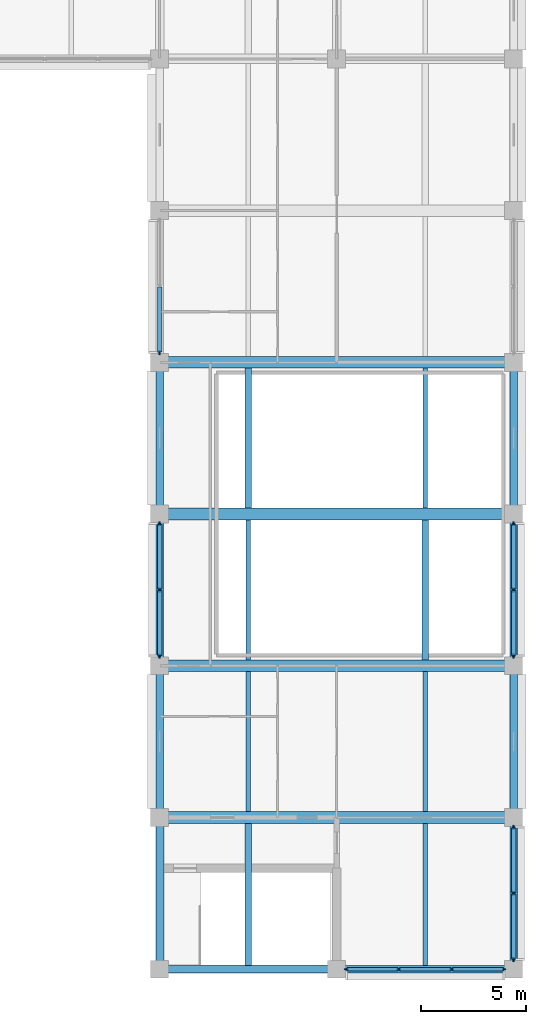
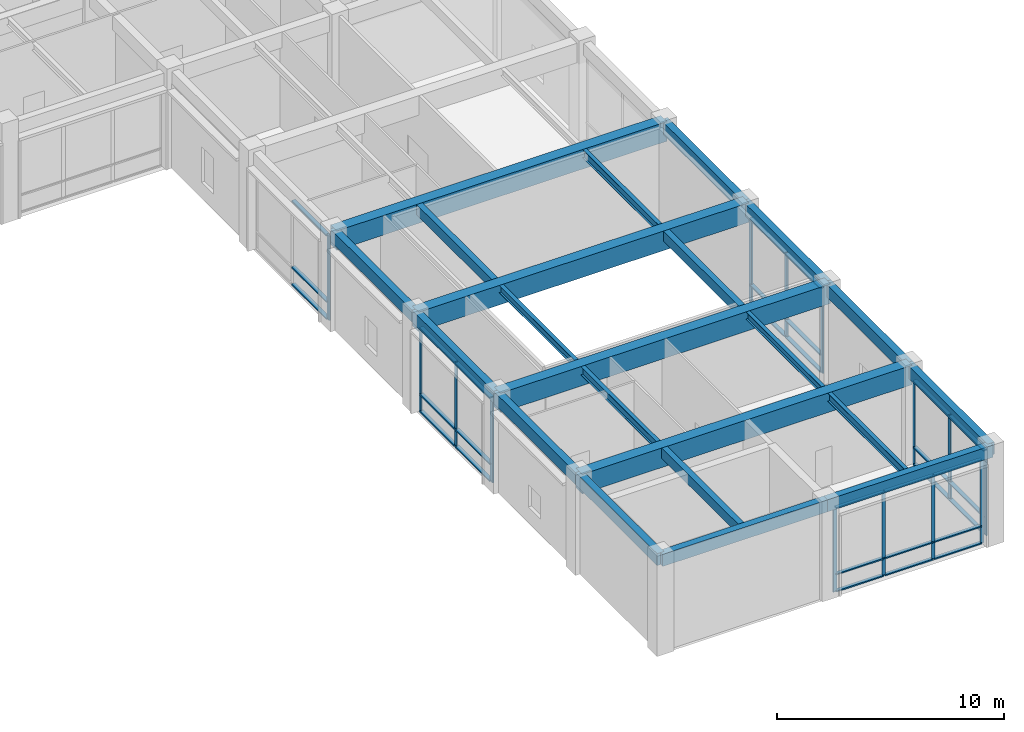
# One storey, part 18 of 58: 44 members, 22 beams, 5 elements without a shape of their own.
"""IFC4 building model written with IfcOpenShell, lengths in metres."""

import ifcopenshell
import ifcopenshell.guid

model = None  # the IFC model being written
_history = None  # IfcOwnerHistory: only IFC2X3 demands one
_inside = {}  # id of a spatial element -> (the spatial element, [elements in it])
_under = {}  # id of a project, library or spatial element -> (it, [spatial elements below it])
_declared = {}  # id of a project -> (the project, [libraries it declares])
_typed = {}  # id of a type object -> (the type object, [elements of that type])
_made_of = {}  # id of a material, layer set ... -> (it, [elements and type objects made of it])


def new_model(schema):
    """Start an empty IFC model of exactly this schema.

    Asked for "IFC4X3", IfcOpenShell would pick the latest addendum, in which some entities
    have other attributes; the version numbers below select the first issue.
    IFC2X3 requires an IfcOwnerHistory on every rooted entity: one is made here for all.
    """
    global model, _history
    if schema == "IFC4X3":
        model = ifcopenshell.file(schema_version=(4, 3, 0, 0))
    else:
        model = ifcopenshell.file(schema=schema)
    _inside.clear()
    _under.clear()
    _declared.clear()
    _typed.clear()
    _made_of.clear()
    _history = None
    if model.schema == "IFC2X3":
        org = make("IfcOrganization", Name="unknown")
        user = make(
            "IfcPersonAndOrganization",
            ThePerson=make("IfcPerson", FamilyName="unknown"),
            TheOrganization=org,
        )
        app = make(
            "IfcApplication",
            ApplicationDeveloper=org,
            Version="unknown",
            ApplicationFullName="unknown",
            ApplicationIdentifier="unknown",
        )
        _history = make(
            "IfcOwnerHistory",
            OwningUser=user,
            OwningApplication=app,
            ChangeAction="ADDED",
            CreationDate=0,
        )
    return model


def make(cls, **values):
    """One entity of the class cls with the attributes given. An attribute that is None is left unset."""
    return model.create_entity(
        cls, **{name: value for name, value in values.items() if value is not None}
    )


def rooted(cls, **values):
    """An entity with a GlobalId (a new one), such as an element, a storey or a relation."""
    return make(cls, GlobalId=ifcopenshell.guid.new(), OwnerHistory=_history, **values)


def si_unit(unit_type, name, prefix=None):
    """IfcSIUnit, for example si_unit("LENGTHUNIT", "METRE", prefix="MILLI")."""
    return make("IfcSIUnit", UnitType=unit_type, Prefix=prefix, Name=name)


def assignment(units):
    """IfcUnitAssignment: the units of a project."""
    return None if units is None else make("IfcUnitAssignment", Units=units)


def point(xyz):
    """IfcCartesianPoint."""
    return None if xyz is None else make("IfcCartesianPoint", Coordinates=xyz)


def direction(xyz):
    """IfcDirection."""
    return None if xyz is None else make("IfcDirection", DirectionRatios=xyz)


def frame(location, z_axis=None, x_axis=None):
    """IfcAxis2Placement3D, a coordinate frame: its origin and axes. An axis left out is left unset."""
    return make(
        "IfcAxis2Placement3D",
        Location=point(location),
        Axis=direction(z_axis),
        RefDirection=direction(x_axis),
    )


def frame_2d(location, x_axis=None):
    """IfcAxis2Placement2D, a coordinate frame in the plane: its origin and x axis."""
    return make(
        "IfcAxis2Placement2D", Location=point(location), RefDirection=direction(x_axis)
    )


def origin():
    """The frame at (0, 0, 0) with its axes left unset."""
    return frame((0.0, 0.0, 0.0))


def origin_2d():
    """The frame at (0, 0) in the plane with its x axis left unset."""
    return frame_2d((0.0, 0.0))


def place(relative_to, where):
    """IfcLocalPlacement: puts the frame where relative to a parent placement (None: the world)."""
    return make(
        "IfcLocalPlacement", PlacementRelTo=relative_to, RelativePlacement=where
    )


def context(
    kind, dimensions, precision=None, world=None, true_north=None, identifier=None
):
    """IfcGeometricRepresentationContext, for example the 3D "Model" context."""
    return make(
        "IfcGeometricRepresentationContext",
        ContextIdentifier=identifier,
        ContextType=kind,
        CoordinateSpaceDimension=dimensions,
        Precision=precision,
        WorldCoordinateSystem=world,
        TrueNorth=true_north,
    )


def subcontext(parent, identifier, kind, view, scale=None):
    """IfcGeometricRepresentationSubContext, for example "Body" below "Model"."""
    return make(
        "IfcGeometricRepresentationSubContext",
        ContextIdentifier=identifier,
        ContextType=kind,
        ParentContext=parent,
        TargetScale=scale,
        TargetView=view,
    )


def project(units=None, contexts=None):
    """IfcProject with its units and contexts."""
    return rooted(
        "IfcProject",
        Name="project",
        RepresentationContexts=contexts,
        UnitsInContext=assignment(units),
    )


def spatial(cls, under=None, at=None, **own):
    """A site, building, storey or space (cls), placed at a placement, below another one or the project."""
    s = rooted(cls, ObjectPlacement=at, **own)
    if under is not None:
        _under.setdefault(under.id(), (under, []))[1].append(s)
    return s


def profile(cls, at=None, kind="AREA", **sizes):
    """A parametric profile (cls). Its sizes go by their IFC names, for example OverallWidth=200.0."""
    return make(cls, ProfileType=kind, Position=at, **sizes)


def rectangle(**sizes):
    """IfcRectangleProfileDef."""
    return profile("IfcRectangleProfileDef", **sizes)


def i_section(**sizes):
    """IfcIShapeProfileDef."""
    return profile("IfcIShapeProfileDef", **sizes)


def extrude(swept, where, along, depth):
    """IfcExtrudedAreaSolid: the profile swept, set in the frame where, extruded along a direction by depth."""
    return make(
        "IfcExtrudedAreaSolid",
        SweptArea=swept,
        Position=where,
        ExtrudedDirection=direction(along),
        Depth=depth,
    )


def shape(context_of_items, identifier, shape_type, items):
    """IfcShapeRepresentation: the items that make up one representation, for example the "Body"."""
    return make(
        "IfcShapeRepresentation",
        ContextOfItems=context_of_items,
        RepresentationIdentifier=identifier,
        RepresentationType=shape_type,
        Items=items,
    )


def material(Name=None, Category=None):
    """IfcMaterial."""
    return make("IfcMaterial", Name=Name, Category=Category)


def layer(
    of_material, thickness, ventilated=None, Name=None, Category=None, Priority=None
):
    """IfcMaterialLayer: one layer of a wall or slab, of a material (None: an air gap)."""
    return make(
        "IfcMaterialLayer",
        Material=of_material,
        LayerThickness=thickness,
        IsVentilated=ventilated,
        Name=Name,
        Category=Category,
        Priority=Priority,
    )


def layer_set(layers, Name=None):
    """IfcMaterialLayerSet."""
    return make("IfcMaterialLayerSet", MaterialLayers=layers, LayerSetName=Name)


def material_profile(
    of_material, cross_section, Name=None, Category=None, Priority=None
):
    """IfcMaterialProfile: a cross section and its material."""
    return make(
        "IfcMaterialProfile",
        Name=Name,
        Material=of_material,
        Profile=cross_section,
        Priority=Priority,
        Category=Category,
    )


def profile_set(profiles, Name=None, composite=None):
    """IfcMaterialProfileSet."""
    return make(
        "IfcMaterialProfileSet",
        Name=Name,
        MaterialProfiles=profiles,
        CompositeProfile=composite,
    )


def made_of(thing, what):
    """Note that an element or type object is made of a material, layer set ...; save() writes the relation."""
    if what is not None:
        _made_of.setdefault(what.id(), (what, []))[1].append(thing)
    return thing


def type_object(cls, material=None, **own):
    """A type object (cls), such as IfcWallType, which elements share."""
    return made_of(rooted(cls, **own), material)


def element(
    cls,
    number,
    at=None,
    inside=None,
    cuts=None,
    type_object=None,
    material=None,
    context=None,
    identifier="Body",
    shape_type=None,
    held_by="IfcProductDefinitionShape",
    body=None,
    shapes=None,
    **own,
):
    """One element of the class cls, such as IfcWall. Its Tag is "e" and its number.

    at: its placement. inside: the storey or other place that contains it. cuts: it is an
    opening in that element (IfcRelVoidsElement). A single representation is given by context,
    identifier, shape_type and body (its items); several are given by shapes. held_by: the class
    of the entity that holds the representations. save() writes the other relations.
    """
    e = rooted(cls, Tag="e%d" % number, ObjectPlacement=at, **own)
    if body is not None:
        shapes = [shape(context, identifier, shape_type, body)]
    if shapes is not None:
        e.Representation = make(held_by, Representations=shapes)
    if inside is not None:
        _inside.setdefault(inside.id(), (inside, []))[1].append(e)
    if cuts is not None:
        rooted(
            "IfcRelVoidsElement", RelatingBuildingElement=cuts, RelatedOpeningElement=e
        )
    if type_object is not None:
        _typed.setdefault(type_object.id(), (type_object, []))[1].append(e)
    return made_of(e, material)


def aggregate(whole, parts):
    """IfcRelAggregates: a whole, such as a stair, and the parts it consists of."""
    return rooted("IfcRelAggregates", RelatingObject=whole, RelatedObjects=parts)


def save(model, path):
    """Write the relations noted so far, then the file.

    IfcRelAggregates (storeys below a building ...), IfcRelContainedInSpatialStructure (elements
    in a storey), IfcRelDefinesByType, IfcRelAssociatesMaterial and IfcRelDeclares: one each for
    every whole, place, type object, material and project.
    """
    for whole, parts in _under.values():
        aggregate(whole, parts)
    for where, things in _inside.values():
        rooted(
            "IfcRelContainedInSpatialStructure",
            RelatedElements=things,
            RelatingStructure=where,
        )
    for kind, things in _typed.values():
        rooted("IfcRelDefinesByType", RelatedObjects=things, RelatingType=kind)
    for what, things in _made_of.values():
        rooted("IfcRelAssociatesMaterial", RelatedObjects=things, RelatingMaterial=what)
    for by, libraries in _declared.values():
        rooted("IfcRelDeclares", RelatingContext=by, RelatedDefinitions=libraries)
    model.write(path)


model = new_model("IFC4")

# Units and contexts
model_context = context("Model", 3, precision=1e-05, world=origin(), true_north=direction((0.0, 1.0)))
body_context = subcontext(model_context, "Body", "Model", "MODEL_VIEW")
ifc_project = project(units=[si_unit("LENGTHUNIT", "METRE"), si_unit("AREAUNIT", "SQUARE_METRE"), si_unit("VOLUMEUNIT", "CUBIC_METRE"), si_unit("PLANEANGLEUNIT", "RADIAN"), si_unit("MASSUNIT", "GRAM", prefix="KILO")], contexts=[model_context])

# Site, building, storey
site_placement = place(None, origin())
site = spatial("IfcSite", under=ifc_project, at=site_placement, CompositionType="ELEMENT")
building_placement = place(site_placement, origin())
building = spatial("IfcBuilding", under=site, at=building_placement, Name="Chengyuan Square Courthouse", CompositionType="ELEMENT")
storey_placement = place(building_placement, frame((0.0, 0.0, 16.199951171875)))
storey = spatial("IfcBuildingStorey", under=building, at=storey_placement, Name="L04", CompositionType="ELEMENT", Elevation=16.199951171875)

# Beams
ifc_material_1 = material(Name="Concrete C40", Category="concrete")
ifc_material_profile_1 = material_profile(ifc_material_1, rectangle(XDim=0.35009765625, YDim=0.64990234375, at=origin_2d()), Name="RC-BM-350x650")
ifc_profile_set_1 = profile_set([ifc_material_profile_1], Name="Concrete C40")
beam_type_1 = type_object("IfcBeamType", Name="BM-03", PredefinedType="SPANDREL", material=ifc_profile_set_1)
beam_1_placement = place(storey_placement, frame((151.199951171875, 36.0, 4.875), z_axis=(1.0, 0.0, 0.0), x_axis=(0.0, 1.0, 0.0)))
element("IfcBeam", 1, at=beam_1_placement, inside=storey, type_object=beam_type_1, Name="Girder BM-L04-2845", PredefinedType="SPANDREL", context=body_context, shape_type="SweptSolid", body=[
    extrude(rectangle(XDim=0.35009765625, YDim=0.64990234375, at=origin_2d()), origin(), (0.0, 0.0, 1.0), 8.400146484375),
])
beam_2_placement = place(storey_placement, frame((159.60009765625, 36.0, 4.875), z_axis=(1.0, 0.0, 0.0), x_axis=(0.0, 1.0, 0.0)))
element("IfcBeam", 2, at=beam_2_placement, inside=storey, type_object=beam_type_1, Name="Girder BM-L04-2846", PredefinedType="SPANDREL", context=body_context, shape_type="SweptSolid", body=[
    extrude(rectangle(XDim=0.35009765625, YDim=0.64990234375, at=origin_2d()), origin(), (0.0, 0.0, 1.0), 8.39990234375),
])
for number, where, z_axis, x_axis, name in (
    (3, (151.199951171875, 36.0, 4.875), (0.0, 1.0, 0.0), (-1.0, 0.0, 0.0), "Girder BM-L04-3069"),
    (4, (151.199951171875, 43.199951171875, 4.875), (0.0, 1.0, 0.0), (-1.0, 0.0, 0.0), "Girder BM-L04-3070"),
):
    element("IfcBeam", number, at=place(storey_placement, frame(where, z_axis=z_axis, x_axis=x_axis)), inside=storey, type_object=beam_type_1, Name=name, PredefinedType="SPANDREL", context=body_context, shape_type="SweptSolid", body=[
        extrude(rectangle(XDim=0.35009765625, YDim=0.64990234375, at=origin_2d()), origin(), (0.0, 0.0, 1.0), 7.199951171875),
    ])
beam_3_placement = place(storey_placement, frame((151.199951171875, 50.39990234375, 4.875), z_axis=(0.0, 1.0, 0.0), x_axis=(-1.0, 0.0, 0.0)))
element("IfcBeam", 5, at=beam_3_placement, inside=storey, type_object=beam_type_1, Name="Girder BM-L04-3071", PredefinedType="SPANDREL", context=body_context, shape_type="SweptSolid", body=[
    extrude(rectangle(XDim=0.35009765625, YDim=0.64990234375, at=origin_2d()), origin(), (0.0, 0.0, 1.0), 7.2001953125),
])
for number, where, z_axis, x_axis, name in (
    (6, (151.199951171875, 57.60009765625, 4.875), (0.0, 1.0, 0.0), (-1.0, 0.0, 0.0), "Girder BM-L04-3072"),
    (7, (168.0, 36.0, 4.875), (0.0, 1.0, 0.0), (-1.0, 0.0, 0.0), "Girder BM-L04-3083"),
    (8, (168.0, 43.199951171875, 4.875), (0.0, 1.0, 0.0), (-1.0, 0.0, 0.0), "Girder BM-L04-3084"),
):
    element("IfcBeam", number, at=place(storey_placement, frame(where, z_axis=z_axis, x_axis=x_axis)), inside=storey, type_object=beam_type_1, Name=name, PredefinedType="SPANDREL", context=body_context, shape_type="SweptSolid", body=[
        extrude(rectangle(XDim=0.35009765625, YDim=0.64990234375, at=origin_2d()), origin(), (0.0, 0.0, 1.0), 7.199951171875),
    ])
beam_4_placement = place(storey_placement, frame((168.0, 50.39990234375, 4.875), z_axis=(0.0, 1.0, 0.0), x_axis=(-1.0, 0.0, 0.0)))
element("IfcBeam", 9, at=beam_4_placement, inside=storey, type_object=beam_type_1, Name="Girder BM-L04-3085", PredefinedType="SPANDREL", context=body_context, shape_type="SweptSolid", body=[
    extrude(rectangle(XDim=0.35009765625, YDim=0.64990234375, at=origin_2d()), origin(), (0.0, 0.0, 1.0), 7.2001953125),
])
beam_5_placement = place(storey_placement, frame((168.0, 57.60009765625, 4.875), z_axis=(0.0, 1.0, 0.0), x_axis=(-1.0, 0.0, 0.0)))
element("IfcBeam", 10, at=beam_5_placement, inside=storey, type_object=beam_type_1, Name="Girder BM-L04-3086", PredefinedType="SPANDREL", context=body_context, shape_type="SweptSolid", body=[
    extrude(rectangle(XDim=0.35009765625, YDim=0.64990234375, at=origin_2d()), origin(), (0.0, 0.0, 1.0), 7.199951171875),
])
ifc_material_profile_2 = material_profile(ifc_material_1, rectangle(XDim=0.300048828125, YDim=0.550048828125, at=origin_2d()), Name="RC-BM-300x550")
ifc_profile_set_2 = profile_set([ifc_material_profile_2], Name="Concrete C40")
beam_type_2 = type_object("IfcBeamType", Name="BM-04", PredefinedType="BEAM", material=ifc_profile_set_2)
beam_6_placement = place(storey_placement, frame((155.39990234375, 36.175048828125, 4.925048828125), z_axis=(0.0, 1.0, 0.0), x_axis=(-1.0, 0.0, 0.0)))
element("IfcBeam", 11, at=beam_6_placement, inside=storey, type_object=beam_type_2, Name="Secondary Floor Beam SBM-L04-3175", PredefinedType="BEAM", context=body_context, shape_type="SweptSolid", body=[
    extrude(rectangle(XDim=0.300048828125, YDim=0.550048828125, at=origin_2d()), origin(), (0.0, 0.0, 1.0), 6.75),
])
for number, where, z_axis, x_axis, name in (
    (12, (155.39990234375, 57.875, 4.925048828125), (0.0, 1.0, 0.0), (-1.0, 0.0, 0.0), "Secondary Floor Beam SBM-L04-3178"),
    (13, (163.800048828125, 50.675048828125, 4.925048828125), (0.0, 1.0, 0.0), (-1.0, 0.0, 0.0), "Secondary Floor Beam SBM-L04-3187"),
):
    element("IfcBeam", number, at=place(storey_placement, frame(where, z_axis=z_axis, x_axis=x_axis)), inside=storey, type_object=beam_type_2, Name=name, PredefinedType="BEAM", context=body_context, shape_type="SweptSolid", body=[
        extrude(rectangle(XDim=0.300048828125, YDim=0.550048828125, at=origin_2d()), origin(), (0.0, 0.0, 1.0), 6.64990234375),
    ])
ifc_material_2 = material(Name="Steel Q355B", Category="steel")
ifc_material_profile_3 = material_profile(ifc_material_2, i_section(OverallWidth=0.199951171875, OverallDepth=0.449951171875, WebThickness=0.009033203125, FlangeThickness=0.013916015625, at=origin_2d()), Name="HN 450x200x9x14")
ifc_profile_set_3 = profile_set([ifc_material_profile_3], Name="Steel Q355B")
beam_type_3 = type_object("IfcBeamType", Name="BM-06", PredefinedType="BEAM", material=ifc_profile_set_3)
beam_7_placement = place(storey_placement, frame((155.39990234375, 43.47509765625, 4.97509765625), z_axis=(0.0, 1.0, 0.0), x_axis=(-1.0, 0.0, 0.0)))
element("IfcBeam", 14, at=beam_7_placement, inside=storey, type_object=beam_type_3, Name="Secondary Floor Beam SBM-L04-3176", PredefinedType="BEAM", context=body_context, shape_type="SweptSolid", body=[
    extrude(i_section(OverallWidth=0.199951171875, OverallDepth=0.449951171875, WebThickness=0.009033203125, FlangeThickness=0.013916015625, at=origin_2d()), origin(), (0.0, 0.0, 1.0), 6.64990234375),
])
beam_8_placement = place(storey_placement, frame((163.800048828125, 36.175048828125, 4.97509765625), z_axis=(0.0, 1.0, 0.0), x_axis=(-1.0, 0.0, 0.0)))
element("IfcBeam", 15, at=beam_8_placement, inside=storey, type_object=beam_type_3, Name="Secondary Floor Beam SBM-L04-3185", PredefinedType="BEAM", context=body_context, shape_type="SweptSolid", body=[
    extrude(i_section(OverallWidth=0.199951171875, OverallDepth=0.449951171875, WebThickness=0.009033203125, FlangeThickness=0.013916015625, at=origin_2d()), origin(), (0.0, 0.0, 1.0), 6.75),
])
beam_9_placement = place(storey_placement, frame((163.800048828125, 57.875, 4.97509765625), z_axis=(0.0, 1.0, 0.0), x_axis=(-1.0, 0.0, 0.0)))
element("IfcBeam", 16, at=beam_9_placement, inside=storey, type_object=beam_type_3, Name="Secondary Floor Beam SBM-L04-3188", PredefinedType="BEAM", context=body_context, shape_type="SweptSolid", body=[
    extrude(i_section(OverallWidth=0.199951171875, OverallDepth=0.449951171875, WebThickness=0.009033203125, FlangeThickness=0.013916015625, at=origin_2d()), origin(), (0.0, 0.0, 1.0), 6.64990234375),
])
ifc_material_profile_4 = material_profile(ifc_material_2, i_section(OverallWidth=0.199951171875, OverallDepth=0.39990234375, WebThickness=0.008056640625, FlangeThickness=0.012939453125, at=origin_2d()), Name="HN 400x200x8x13")
ifc_profile_set_4 = profile_set([ifc_material_profile_4], Name="Steel Q355B")
beam_type_4 = type_object("IfcBeamType", Name="BM-07", PredefinedType="BEAM", material=ifc_profile_set_4)
for number, where, z_axis, x_axis, name in (
    (17, (155.39990234375, 50.675048828125, 5.0), (0.0, 1.0, 0.0), (-1.0, 0.0, 0.0), "Secondary Floor Beam SBM-L04-3177"),
    (18, (163.800048828125, 43.47509765625, 5.0), (0.0, 1.0, 0.0), (-1.0, 0.0, 0.0), "Secondary Floor Beam SBM-L04-3186"),
):
    element("IfcBeam", number, at=place(storey_placement, frame(where, z_axis=z_axis, x_axis=x_axis)), inside=storey, type_object=beam_type_4, Name=name, PredefinedType="BEAM", context=body_context, shape_type="SweptSolid", body=[
        extrude(i_section(OverallWidth=0.199951171875, OverallDepth=0.39990234375, WebThickness=0.008056640625, FlangeThickness=0.012939453125, at=origin_2d()), origin(), (0.0, 0.0, 1.0), 6.64990234375),
    ])

# Curtain wall, members
ifc_material_3 = material(Name="Unitised Aluminium and Triple Low-E Glass", Category="aluminium")
ifc_layer_1 = layer(ifc_material_3, 0.179931640625)
ifc_layer_set_1 = layer_set([ifc_layer_1], Name="Unitised Aluminium and Triple Low-E Glass")
curtain_wall_type_1 = type_object("IfcCurtainWallType", Name="CW-10", PredefinedType="USERDEFINED", material=ifc_layer_set_1)
curtain_wall_1_placement = place(storey_placement, origin())
curtain_wall_1 = element("IfcCurtainWall", 19, at=curtain_wall_1_placement, inside=storey, type_object=curtain_wall_type_1, Name="Unitised Curtain Wall CW-L04-158", ObjectType="UNITISED CURTAIN WALL", PredefinedType="USERDEFINED")
ifc_material_4 = material(Name="Aluminium 6063-T6 Frame", Category="aluminium")
ifc_material_profile_5 = material_profile(ifc_material_4, rectangle(XDim=0.06494140625, YDim=0.179931640625, at=origin_2d()), Name="CW-MUL-65x180")
ifc_profile_set_5 = profile_set([ifc_material_profile_5], Name="Aluminium 6063-T6 Frame")
member_type_1 = type_object("IfcMemberType", Name="CWM-02", PredefinedType="MULLION", material=ifc_profile_set_5)
member_1_placement = place(storey_placement, frame((160.0576171875, 36.0, 0.0), z_axis=(0.0, 0.0, 1.0), x_axis=(0.0, 1.0, 0.0)))
member_1 = element("IfcMember", 20, at=member_1_placement, type_object=member_type_1, Name="CW-10 mullion 1", PredefinedType="MULLION", context=body_context, shape_type="SweptSolid", body=[
    extrude(rectangle(XDim=0.06494140625, YDim=0.179931640625, at=origin_2d()), origin(), (0.0, 0.0, 1.0), 4.550048828125),
])
member_2_placement = place(storey_placement, frame((162.541748046875, 36.0, 0.0), z_axis=(0.0, 0.0, 1.0), x_axis=(0.0, 1.0, 0.0)))
member_2 = element("IfcMember", 21, at=member_2_placement, type_object=member_type_1, Name="CW-10 mullion 2", PredefinedType="MULLION", context=body_context, shape_type="SweptSolid", body=[
    extrude(rectangle(XDim=0.06494140625, YDim=0.179931640625, at=origin_2d()), origin(), (0.0, 0.0, 1.0), 4.550048828125),
])
member_3_placement = place(storey_placement, frame((165.058349609375, 36.0, 0.0), z_axis=(0.0, 0.0, 1.0), x_axis=(0.0, 1.0, 0.0)))
member_3 = element("IfcMember", 22, at=member_3_placement, type_object=member_type_1, Name="CW-10 mullion 3", PredefinedType="MULLION", context=body_context, shape_type="SweptSolid", body=[
    extrude(rectangle(XDim=0.06494140625, YDim=0.179931640625, at=origin_2d()), origin(), (0.0, 0.0, 1.0), 4.550048828125),
])
member_4_placement = place(storey_placement, frame((167.54248046875, 36.0, 0.0), z_axis=(0.0, 0.0, 1.0), x_axis=(0.0, 1.0, 0.0)))
member_4 = element("IfcMember", 23, at=member_4_placement, type_object=member_type_1, Name="CW-10 mullion 4", PredefinedType="MULLION", context=body_context, shape_type="SweptSolid", body=[
    extrude(rectangle(XDim=0.06494140625, YDim=0.179931640625, at=origin_2d()), origin(), (0.0, 0.0, 1.0), 4.550048828125),
])

ifc_layer_2 = layer(ifc_material_3, 0.199951171875)
ifc_layer_set_2 = layer_set([ifc_layer_2], Name="Unitised Aluminium and Triple Low-E Glass")
curtain_wall_type_2 = type_object("IfcCurtainWallType", Name="CW-23", PredefinedType="USERDEFINED", material=ifc_layer_set_2)
curtain_wall_2_placement = place(storey_placement, origin())
curtain_wall_2 = element("IfcCurtainWall", 24, at=curtain_wall_2_placement, inside=storey, type_object=curtain_wall_type_2, Name="Unitised Curtain Wall CW-L04-156", ObjectType="UNITISED CURTAIN WALL", PredefinedType="USERDEFINED")
ifc_material_profile_6 = material_profile(ifc_material_4, rectangle(XDim=0.070068359375, YDim=0.199951171875, at=origin_2d()), Name="CW-MUL-70x200")
ifc_profile_set_6 = profile_set([ifc_material_profile_6], Name="Aluminium 6063-T6 Frame")
member_type_2 = type_object("IfcMemberType", Name="CWM-03", PredefinedType="MULLION", material=ifc_profile_set_6)
member_5_placement = place(storey_placement, frame((151.199951171875, 50.860107421875, 0.0), z_axis=(0.0, 0.0, 1.0), x_axis=(-1.0, 0.0, 0.0)))
member_5 = element("IfcMember", 25, at=member_5_placement, type_object=member_type_2, Name="CW-23 mullion 1", PredefinedType="MULLION", context=body_context, shape_type="SweptSolid", body=[
    extrude(rectangle(XDim=0.070068359375, YDim=0.199951171875, at=origin_2d()), origin(), (0.0, 0.0, 1.0), 4.550048828125),
])
member_6_placement = place(storey_placement, frame((151.199951171875, 54.0, 0.0), z_axis=(0.0, 0.0, 1.0), x_axis=(-1.0, 0.0, 0.0)))
member_6 = element("IfcMember", 26, at=member_6_placement, type_object=member_type_2, Name="CW-23 mullion 2", PredefinedType="MULLION", context=body_context, shape_type="SweptSolid", body=[
    extrude(rectangle(XDim=0.070068359375, YDim=0.199951171875, at=origin_2d()), origin(), (0.0, 0.0, 1.0), 4.550048828125),
])
member_7_placement = place(storey_placement, frame((151.199951171875, 57.139892578125, 0.0), z_axis=(0.0, 0.0, 1.0), x_axis=(-1.0, 0.0, 0.0)))
member_7 = element("IfcMember", 27, at=member_7_placement, type_object=member_type_2, Name="CW-23 mullion 3", PredefinedType="MULLION", context=body_context, shape_type="SweptSolid", body=[
    extrude(rectangle(XDim=0.070068359375, YDim=0.199951171875, at=origin_2d()), origin(), (0.0, 0.0, 1.0), 4.550048828125),
])

# Curtain wall, member
curtain_wall_3_placement = place(storey_placement, origin())
curtain_wall_3 = element("IfcCurtainWall", 28, at=curtain_wall_3_placement, inside=storey, type_object=curtain_wall_type_2, Name="Unitised Curtain Wall CW-L04-157", ObjectType="UNITISED CURTAIN WALL", PredefinedType="USERDEFINED")
member_8_placement = place(storey_placement, frame((151.199951171875, 65.260009765625, 0.0), z_axis=(0.0, 0.0, 1.0), x_axis=(-1.0, 0.0, 0.0)))
member_8 = element("IfcMember", 29, at=member_8_placement, type_object=member_type_2, Name="CW-23 mullion 1", PredefinedType="MULLION", context=body_context, shape_type="SweptSolid", body=[
    extrude(rectangle(XDim=0.070068359375, YDim=0.199951171875, at=origin_2d()), origin(), (0.0, 0.0, 1.0), 4.550048828125),
])

# Curtain wall, members
curtain_wall_4_placement = place(storey_placement, origin())
curtain_wall_4 = element("IfcCurtainWall", 30, at=curtain_wall_4_placement, inside=storey, type_object=curtain_wall_type_2, Name="Unitised Curtain Wall CW-L04-159", ObjectType="UNITISED CURTAIN WALL", PredefinedType="USERDEFINED")
member_9_placement = place(storey_placement, frame((168.0, 36.4599609375, 0.0), z_axis=(0.0, 0.0, 1.0), x_axis=(-1.0, 0.0, 0.0)))
member_9 = element("IfcMember", 31, at=member_9_placement, type_object=member_type_2, Name="CW-23 mullion 1", PredefinedType="MULLION", context=body_context, shape_type="SweptSolid", body=[
    extrude(rectangle(XDim=0.070068359375, YDim=0.199951171875, at=origin_2d()), origin(), (0.0, 0.0, 1.0), 4.550048828125),
])
member_10_placement = place(storey_placement, frame((168.0, 39.60009765625, 0.0), z_axis=(0.0, 0.0, 1.0), x_axis=(-1.0, 0.0, 0.0)))
member_10 = element("IfcMember", 32, at=member_10_placement, type_object=member_type_2, Name="CW-23 mullion 2", PredefinedType="MULLION", context=body_context, shape_type="SweptSolid", body=[
    extrude(rectangle(XDim=0.070068359375, YDim=0.199951171875, at=origin_2d()), origin(), (0.0, 0.0, 1.0), 4.550048828125),
])
member_11_placement = place(storey_placement, frame((168.0, 42.739990234375, 0.0), z_axis=(0.0, 0.0, 1.0), x_axis=(-1.0, 0.0, 0.0)))
member_11 = element("IfcMember", 33, at=member_11_placement, type_object=member_type_2, Name="CW-23 mullion 3", PredefinedType="MULLION", context=body_context, shape_type="SweptSolid", body=[
    extrude(rectangle(XDim=0.070068359375, YDim=0.199951171875, at=origin_2d()), origin(), (0.0, 0.0, 1.0), 4.550048828125),
])

curtain_wall_5_placement = place(storey_placement, origin())
curtain_wall_5 = element("IfcCurtainWall", 34, at=curtain_wall_5_placement, inside=storey, type_object=curtain_wall_type_2, Name="Unitised Curtain Wall CW-L04-160", ObjectType="UNITISED CURTAIN WALL", PredefinedType="USERDEFINED")
member_12_placement = place(storey_placement, frame((168.0, 50.860107421875, 0.0), z_axis=(0.0, 0.0, 1.0), x_axis=(-1.0, 0.0, 0.0)))
member_12 = element("IfcMember", 35, at=member_12_placement, type_object=member_type_2, Name="CW-23 mullion 1", PredefinedType="MULLION", context=body_context, shape_type="SweptSolid", body=[
    extrude(rectangle(XDim=0.070068359375, YDim=0.199951171875, at=origin_2d()), origin(), (0.0, 0.0, 1.0), 4.550048828125),
])
member_13_placement = place(storey_placement, frame((168.0, 54.0, 0.0), z_axis=(0.0, 0.0, 1.0), x_axis=(-1.0, 0.0, 0.0)))
member_13 = element("IfcMember", 36, at=member_13_placement, type_object=member_type_2, Name="CW-23 mullion 2", PredefinedType="MULLION", context=body_context, shape_type="SweptSolid", body=[
    extrude(rectangle(XDim=0.070068359375, YDim=0.199951171875, at=origin_2d()), origin(), (0.0, 0.0, 1.0), 4.550048828125),
])
member_14_placement = place(storey_placement, frame((168.0, 57.139892578125, 0.0), z_axis=(0.0, 0.0, 1.0), x_axis=(-1.0, 0.0, 0.0)))
member_14 = element("IfcMember", 37, at=member_14_placement, type_object=member_type_2, Name="CW-23 mullion 3", PredefinedType="MULLION", context=body_context, shape_type="SweptSolid", body=[
    extrude(rectangle(XDim=0.070068359375, YDim=0.199951171875, at=origin_2d()), origin(), (0.0, 0.0, 1.0), 4.550048828125),
])

# Member
ifc_material_profile_7 = material_profile(ifc_material_4, rectangle(XDim=0.179931640625, YDim=0.06494140625, at=origin_2d()), Name="CW-TRN-65x140")
ifc_profile_set_7 = profile_set([ifc_material_profile_7], Name="Aluminium 6063-T6 Frame")
member_type_3 = type_object("IfcMemberType", Name="CWT-02", PredefinedType="USERDEFINED", material=ifc_profile_set_7)
member_15_placement = place(storey_placement, frame((160.090087890625, 36.0, 0.032470703125), z_axis=(1.0, 0.0, 0.0), x_axis=(0.0, 1.0, 0.0)))
member_15 = element("IfcMember", 38, at=member_15_placement, type_object=member_type_3, Name="CW-10 transom 1.1", ObjectType="TRANSOM", PredefinedType="USERDEFINED", context=body_context, shape_type="SweptSolid", body=[
    extrude(rectangle(XDim=0.179931640625, YDim=0.06494140625, at=origin_2d()), origin(), (0.0, 0.0, 1.0), 2.419189453125),
])

member_16_placement = place(storey_placement, frame((160.090087890625, 36.0, 0.949951171875), z_axis=(1.0, 0.0, 0.0), x_axis=(0.0, 1.0, 0.0)))
member_16 = element("IfcMember", 39, at=member_16_placement, type_object=member_type_3, Name="CW-10 transom 1.2", ObjectType="TRANSOM", PredefinedType="USERDEFINED", context=body_context, shape_type="SweptSolid", body=[
    extrude(rectangle(XDim=0.179931640625, YDim=0.06494140625, at=origin_2d()), origin(), (0.0, 0.0, 1.0), 2.419189453125),
])

member_17_placement = place(storey_placement, frame((160.090087890625, 36.0, 4.517578125), z_axis=(1.0, 0.0, 0.0), x_axis=(0.0, 1.0, 0.0)))
member_17 = element("IfcMember", 40, at=member_17_placement, type_object=member_type_3, Name="CW-10 transom 1.3", ObjectType="TRANSOM", PredefinedType="USERDEFINED", context=body_context, shape_type="SweptSolid", body=[
    extrude(rectangle(XDim=0.179931640625, YDim=0.06494140625, at=origin_2d()), origin(), (0.0, 0.0, 1.0), 2.419189453125),
])

member_18_placement = place(storey_placement, frame((162.57421875, 36.0, 0.032470703125), z_axis=(1.0, 0.0, 0.0), x_axis=(0.0, 1.0, 0.0)))
member_18 = element("IfcMember", 41, at=member_18_placement, type_object=member_type_3, Name="CW-10 transom 2.1", ObjectType="TRANSOM", PredefinedType="USERDEFINED", context=body_context, shape_type="SweptSolid", body=[
    extrude(rectangle(XDim=0.179931640625, YDim=0.06494140625, at=origin_2d()), origin(), (0.0, 0.0, 1.0), 2.45166015625),
])

member_19_placement = place(storey_placement, frame((162.57421875, 36.0, 0.949951171875), z_axis=(1.0, 0.0, 0.0), x_axis=(0.0, 1.0, 0.0)))
member_19 = element("IfcMember", 42, at=member_19_placement, type_object=member_type_3, Name="CW-10 transom 2.2", ObjectType="TRANSOM", PredefinedType="USERDEFINED", context=body_context, shape_type="SweptSolid", body=[
    extrude(rectangle(XDim=0.179931640625, YDim=0.06494140625, at=origin_2d()), origin(), (0.0, 0.0, 1.0), 2.45166015625),
])

member_20_placement = place(storey_placement, frame((162.57421875, 36.0, 4.517578125), z_axis=(1.0, 0.0, 0.0), x_axis=(0.0, 1.0, 0.0)))
member_20 = element("IfcMember", 43, at=member_20_placement, type_object=member_type_3, Name="CW-10 transom 2.3", ObjectType="TRANSOM", PredefinedType="USERDEFINED", context=body_context, shape_type="SweptSolid", body=[
    extrude(rectangle(XDim=0.179931640625, YDim=0.06494140625, at=origin_2d()), origin(), (0.0, 0.0, 1.0), 2.45166015625),
])

member_21_placement = place(storey_placement, frame((165.0908203125, 36.0, 0.032470703125), z_axis=(1.0, 0.0, 0.0), x_axis=(0.0, 1.0, 0.0)))
member_21 = element("IfcMember", 44, at=member_21_placement, type_object=member_type_3, Name="CW-10 transom 3.1", ObjectType="TRANSOM", PredefinedType="USERDEFINED", context=body_context, shape_type="SweptSolid", body=[
    extrude(rectangle(XDim=0.179931640625, YDim=0.06494140625, at=origin_2d()), origin(), (0.0, 0.0, 1.0), 2.419189453125),
])

member_22_placement = place(storey_placement, frame((165.0908203125, 36.0, 0.949951171875), z_axis=(1.0, 0.0, 0.0), x_axis=(0.0, 1.0, 0.0)))
member_22 = element("IfcMember", 45, at=member_22_placement, type_object=member_type_3, Name="CW-10 transom 3.2", ObjectType="TRANSOM", PredefinedType="USERDEFINED", context=body_context, shape_type="SweptSolid", body=[
    extrude(rectangle(XDim=0.179931640625, YDim=0.06494140625, at=origin_2d()), origin(), (0.0, 0.0, 1.0), 2.419189453125),
])

member_23_placement = place(storey_placement, frame((165.0908203125, 36.0, 4.517578125), z_axis=(1.0, 0.0, 0.0), x_axis=(0.0, 1.0, 0.0)))
member_23 = element("IfcMember", 46, at=member_23_placement, type_object=member_type_3, Name="CW-10 transom 3.3", ObjectType="TRANSOM", PredefinedType="USERDEFINED", context=body_context, shape_type="SweptSolid", body=[
    extrude(rectangle(XDim=0.179931640625, YDim=0.06494140625, at=origin_2d()), origin(), (0.0, 0.0, 1.0), 2.419189453125),
])

aggregate(curtain_wall_1, [member_1, member_2, member_3, member_4, member_15, member_16, member_17, member_18, member_19, member_20, member_21, member_22, member_23])

ifc_material_profile_8 = material_profile(ifc_material_4, rectangle(XDim=0.199951171875, YDim=0.070068359375, at=origin_2d()), Name="CW-TRN-70x160")
ifc_profile_set_8 = profile_set([ifc_material_profile_8], Name="Aluminium 6063-T6 Frame")
member_type_4 = type_object("IfcMemberType", Name="CWT-03", PredefinedType="USERDEFINED", material=ifc_profile_set_8)
member_24_placement = place(storey_placement, frame((151.199951171875, 50.89501953125, 0.03515625), z_axis=(0.0, 1.0, 0.0), x_axis=(-1.0, 0.0, 0.0)))
member_24 = element("IfcMember", 47, at=member_24_placement, type_object=member_type_4, Name="CW-23 transom 1.1", ObjectType="TRANSOM", PredefinedType="USERDEFINED", context=body_context, shape_type="SweptSolid", body=[
    extrude(rectangle(XDim=0.199951171875, YDim=0.070068359375, at=origin_2d()), origin(), (0.0, 0.0, 1.0), 3.070068359375),
])

member_25_placement = place(storey_placement, frame((151.199951171875, 50.89501953125, 0.949951171875), z_axis=(0.0, 1.0, 0.0), x_axis=(-1.0, 0.0, 0.0)))
member_25 = element("IfcMember", 48, at=member_25_placement, type_object=member_type_4, Name="CW-23 transom 1.2", ObjectType="TRANSOM", PredefinedType="USERDEFINED", context=body_context, shape_type="SweptSolid", body=[
    extrude(rectangle(XDim=0.199951171875, YDim=0.070068359375, at=origin_2d()), origin(), (0.0, 0.0, 1.0), 3.070068359375),
])

member_26_placement = place(storey_placement, frame((151.199951171875, 50.89501953125, 4.51513671875), z_axis=(0.0, 1.0, 0.0), x_axis=(-1.0, 0.0, 0.0)))
member_26 = element("IfcMember", 49, at=member_26_placement, type_object=member_type_4, Name="CW-23 transom 1.3", ObjectType="TRANSOM", PredefinedType="USERDEFINED", context=body_context, shape_type="SweptSolid", body=[
    extrude(rectangle(XDim=0.199951171875, YDim=0.070068359375, at=origin_2d()), origin(), (0.0, 0.0, 1.0), 3.070068359375),
])

member_27_placement = place(storey_placement, frame((151.199951171875, 54.034912109375, 0.03515625), z_axis=(0.0, 1.0, 0.0), x_axis=(-1.0, 0.0, 0.0)))
member_27 = element("IfcMember", 50, at=member_27_placement, type_object=member_type_4, Name="CW-23 transom 2.1", ObjectType="TRANSOM", PredefinedType="USERDEFINED", context=body_context, shape_type="SweptSolid", body=[
    extrude(rectangle(XDim=0.199951171875, YDim=0.070068359375, at=origin_2d()), origin(), (0.0, 0.0, 1.0), 3.070068359375),
])

member_28_placement = place(storey_placement, frame((151.199951171875, 54.034912109375, 0.949951171875), z_axis=(0.0, 1.0, 0.0), x_axis=(-1.0, 0.0, 0.0)))
member_28 = element("IfcMember", 51, at=member_28_placement, type_object=member_type_4, Name="CW-23 transom 2.2", ObjectType="TRANSOM", PredefinedType="USERDEFINED", context=body_context, shape_type="SweptSolid", body=[
    extrude(rectangle(XDim=0.199951171875, YDim=0.070068359375, at=origin_2d()), origin(), (0.0, 0.0, 1.0), 3.070068359375),
])

member_29_placement = place(storey_placement, frame((151.199951171875, 54.034912109375, 4.51513671875), z_axis=(0.0, 1.0, 0.0), x_axis=(-1.0, 0.0, 0.0)))
member_29 = element("IfcMember", 52, at=member_29_placement, type_object=member_type_4, Name="CW-23 transom 2.3", ObjectType="TRANSOM", PredefinedType="USERDEFINED", context=body_context, shape_type="SweptSolid", body=[
    extrude(rectangle(XDim=0.199951171875, YDim=0.070068359375, at=origin_2d()), origin(), (0.0, 0.0, 1.0), 3.070068359375),
])

aggregate(curtain_wall_2, [member_5, member_6, member_7, member_24, member_25, member_26, member_27, member_28, member_29])

member_30_placement = place(storey_placement, frame((151.199951171875, 65.294921875, 0.03515625), z_axis=(0.0, 1.0, 0.0), x_axis=(-1.0, 0.0, 0.0)))
member_30 = element("IfcMember", 53, at=member_30_placement, type_object=member_type_4, Name="CW-23 transom 1.1", ObjectType="TRANSOM", PredefinedType="USERDEFINED", context=body_context, shape_type="SweptSolid", body=[
    extrude(rectangle(XDim=0.199951171875, YDim=0.070068359375, at=origin_2d()), origin(), (0.0, 0.0, 1.0), 3.070068359375),
])

member_31_placement = place(storey_placement, frame((151.199951171875, 65.294921875, 0.949951171875), z_axis=(0.0, 1.0, 0.0), x_axis=(-1.0, 0.0, 0.0)))
member_31 = element("IfcMember", 54, at=member_31_placement, type_object=member_type_4, Name="CW-23 transom 1.2", ObjectType="TRANSOM", PredefinedType="USERDEFINED", context=body_context, shape_type="SweptSolid", body=[
    extrude(rectangle(XDim=0.199951171875, YDim=0.070068359375, at=origin_2d()), origin(), (0.0, 0.0, 1.0), 3.070068359375),
])

member_32_placement = place(storey_placement, frame((151.199951171875, 65.294921875, 4.51513671875), z_axis=(0.0, 1.0, 0.0), x_axis=(-1.0, 0.0, 0.0)))
member_32 = element("IfcMember", 55, at=member_32_placement, type_object=member_type_4, Name="CW-23 transom 1.3", ObjectType="TRANSOM", PredefinedType="USERDEFINED", context=body_context, shape_type="SweptSolid", body=[
    extrude(rectangle(XDim=0.199951171875, YDim=0.070068359375, at=origin_2d()), origin(), (0.0, 0.0, 1.0), 3.070068359375),
])

aggregate(curtain_wall_3, [member_8, member_30, member_31, member_32])

member_33_placement = place(storey_placement, frame((168.0, 36.4951171875, 0.03515625), z_axis=(0.0, 1.0, 0.0), x_axis=(-1.0, 0.0, 0.0)))
member_33 = element("IfcMember", 56, at=member_33_placement, type_object=member_type_4, Name="CW-23 transom 1.1", ObjectType="TRANSOM", PredefinedType="USERDEFINED", context=body_context, shape_type="SweptSolid", body=[
    extrude(rectangle(XDim=0.199951171875, YDim=0.070068359375, at=origin_2d()), origin(), (0.0, 0.0, 1.0), 3.06982421875),
])

member_34_placement = place(storey_placement, frame((168.0, 36.4951171875, 0.949951171875), z_axis=(0.0, 1.0, 0.0), x_axis=(-1.0, 0.0, 0.0)))
member_34 = element("IfcMember", 57, at=member_34_placement, type_object=member_type_4, Name="CW-23 transom 1.2", ObjectType="TRANSOM", PredefinedType="USERDEFINED", context=body_context, shape_type="SweptSolid", body=[
    extrude(rectangle(XDim=0.199951171875, YDim=0.070068359375, at=origin_2d()), origin(), (0.0, 0.0, 1.0), 3.06982421875),
])

member_35_placement = place(storey_placement, frame((168.0, 36.4951171875, 4.51513671875), z_axis=(0.0, 1.0, 0.0), x_axis=(-1.0, 0.0, 0.0)))
member_35 = element("IfcMember", 58, at=member_35_placement, type_object=member_type_4, Name="CW-23 transom 1.3", ObjectType="TRANSOM", PredefinedType="USERDEFINED", context=body_context, shape_type="SweptSolid", body=[
    extrude(rectangle(XDim=0.199951171875, YDim=0.070068359375, at=origin_2d()), origin(), (0.0, 0.0, 1.0), 3.06982421875),
])

member_36_placement = place(storey_placement, frame((168.0, 39.635009765625, 0.03515625), z_axis=(0.0, 1.0, 0.0), x_axis=(-1.0, 0.0, 0.0)))
member_36 = element("IfcMember", 59, at=member_36_placement, type_object=member_type_4, Name="CW-23 transom 2.1", ObjectType="TRANSOM", PredefinedType="USERDEFINED", context=body_context, shape_type="SweptSolid", body=[
    extrude(rectangle(XDim=0.199951171875, YDim=0.070068359375, at=origin_2d()), origin(), (0.0, 0.0, 1.0), 3.070068359375),
])

member_37_placement = place(storey_placement, frame((168.0, 39.635009765625, 0.949951171875), z_axis=(0.0, 1.0, 0.0), x_axis=(-1.0, 0.0, 0.0)))
member_37 = element("IfcMember", 60, at=member_37_placement, type_object=member_type_4, Name="CW-23 transom 2.2", ObjectType="TRANSOM", PredefinedType="USERDEFINED", context=body_context, shape_type="SweptSolid", body=[
    extrude(rectangle(XDim=0.199951171875, YDim=0.070068359375, at=origin_2d()), origin(), (0.0, 0.0, 1.0), 3.070068359375),
])

member_38_placement = place(storey_placement, frame((168.0, 39.635009765625, 4.51513671875), z_axis=(0.0, 1.0, 0.0), x_axis=(-1.0, 0.0, 0.0)))
member_38 = element("IfcMember", 61, at=member_38_placement, type_object=member_type_4, Name="CW-23 transom 2.3", ObjectType="TRANSOM", PredefinedType="USERDEFINED", context=body_context, shape_type="SweptSolid", body=[
    extrude(rectangle(XDim=0.199951171875, YDim=0.070068359375, at=origin_2d()), origin(), (0.0, 0.0, 1.0), 3.070068359375),
])

aggregate(curtain_wall_4, [member_9, member_10, member_11, member_33, member_34, member_35, member_36, member_37, member_38])

member_39_placement = place(storey_placement, frame((168.0, 50.89501953125, 0.03515625), z_axis=(0.0, 1.0, 0.0), x_axis=(-1.0, 0.0, 0.0)))
member_39 = element("IfcMember", 62, at=member_39_placement, type_object=member_type_4, Name="CW-23 transom 1.1", ObjectType="TRANSOM", PredefinedType="USERDEFINED", context=body_context, shape_type="SweptSolid", body=[
    extrude(rectangle(XDim=0.199951171875, YDim=0.070068359375, at=origin_2d()), origin(), (0.0, 0.0, 1.0), 3.070068359375),
])

member_40_placement = place(storey_placement, frame((168.0, 50.89501953125, 0.949951171875), z_axis=(0.0, 1.0, 0.0), x_axis=(-1.0, 0.0, 0.0)))
member_40 = element("IfcMember", 63, at=member_40_placement, type_object=member_type_4, Name="CW-23 transom 1.2", ObjectType="TRANSOM", PredefinedType="USERDEFINED", context=body_context, shape_type="SweptSolid", body=[
    extrude(rectangle(XDim=0.199951171875, YDim=0.070068359375, at=origin_2d()), origin(), (0.0, 0.0, 1.0), 3.070068359375),
])

member_41_placement = place(storey_placement, frame((168.0, 50.89501953125, 4.51513671875), z_axis=(0.0, 1.0, 0.0), x_axis=(-1.0, 0.0, 0.0)))
member_41 = element("IfcMember", 64, at=member_41_placement, type_object=member_type_4, Name="CW-23 transom 1.3", ObjectType="TRANSOM", PredefinedType="USERDEFINED", context=body_context, shape_type="SweptSolid", body=[
    extrude(rectangle(XDim=0.199951171875, YDim=0.070068359375, at=origin_2d()), origin(), (0.0, 0.0, 1.0), 3.070068359375),
])

member_42_placement = place(storey_placement, frame((168.0, 54.034912109375, 0.03515625), z_axis=(0.0, 1.0, 0.0), x_axis=(-1.0, 0.0, 0.0)))
member_42 = element("IfcMember", 65, at=member_42_placement, type_object=member_type_4, Name="CW-23 transom 2.1", ObjectType="TRANSOM", PredefinedType="USERDEFINED", context=body_context, shape_type="SweptSolid", body=[
    extrude(rectangle(XDim=0.199951171875, YDim=0.070068359375, at=origin_2d()), origin(), (0.0, 0.0, 1.0), 3.070068359375),
])

member_43_placement = place(storey_placement, frame((168.0, 54.034912109375, 0.949951171875), z_axis=(0.0, 1.0, 0.0), x_axis=(-1.0, 0.0, 0.0)))
member_43 = element("IfcMember", 66, at=member_43_placement, type_object=member_type_4, Name="CW-23 transom 2.2", ObjectType="TRANSOM", PredefinedType="USERDEFINED", context=body_context, shape_type="SweptSolid", body=[
    extrude(rectangle(XDim=0.199951171875, YDim=0.070068359375, at=origin_2d()), origin(), (0.0, 0.0, 1.0), 3.070068359375),
])

member_44_placement = place(storey_placement, frame((168.0, 54.034912109375, 4.51513671875), z_axis=(0.0, 1.0, 0.0), x_axis=(-1.0, 0.0, 0.0)))
member_44 = element("IfcMember", 67, at=member_44_placement, type_object=member_type_4, Name="CW-23 transom 2.3", ObjectType="TRANSOM", PredefinedType="USERDEFINED", context=body_context, shape_type="SweptSolid", body=[
    extrude(rectangle(XDim=0.199951171875, YDim=0.070068359375, at=origin_2d()), origin(), (0.0, 0.0, 1.0), 3.070068359375),
])

aggregate(curtain_wall_5, [member_12, member_13, member_14, member_39, member_40, member_41, member_42, member_43, member_44])

# Beams
ifc_material_5 = material(Name="Post-tensioned Concrete C50", Category="concrete")
ifc_material_profile_9 = material_profile(ifc_material_5, rectangle(XDim=0.550048828125, YDim=1.050048828125, at=origin_2d()), Name="PT-BM-550x1050")
ifc_profile_set_9 = profile_set([ifc_material_profile_9], Name="Post-tensioned Concrete C50")
beam_type_5 = type_object("IfcBeamType", Name="PT-01", PredefinedType="USERDEFINED", material=ifc_profile_set_9)
for number, where, z_axis, x_axis, name in (
    (68, (151.199951171875, 43.199951171875, 4.675048828125), (1.0, 0.0, 0.0), (0.0, 1.0, 0.0), "Girder BM-L04-2848"),
    (69, (151.199951171875, 50.39990234375, 4.675048828125), (1.0, 0.0, 0.0), (0.0, 1.0, 0.0), "Girder BM-L04-2850"),
    (70, (151.199951171875, 57.60009765625, 4.675048828125), (1.0, 0.0, 0.0), (0.0, 1.0, 0.0), "Girder BM-L04-2852"),
    (71, (151.199951171875, 64.800048828125, 4.675048828125), (1.0, 0.0, 0.0), (0.0, 1.0, 0.0), "Girder BM-L04-2858"),
):
    element("IfcBeam", number, at=place(storey_placement, frame(where, z_axis=z_axis, x_axis=x_axis)), inside=storey, type_object=beam_type_5, Name=name, ObjectType="GIRDER", PredefinedType="USERDEFINED", context=body_context, shape_type="SweptSolid", body=[
        extrude(rectangle(XDim=0.550048828125, YDim=1.050048828125, at=origin_2d()), origin(), (0.0, 0.0, 1.0), 16.800048828125),
    ])

save(model, "model.ifc")
